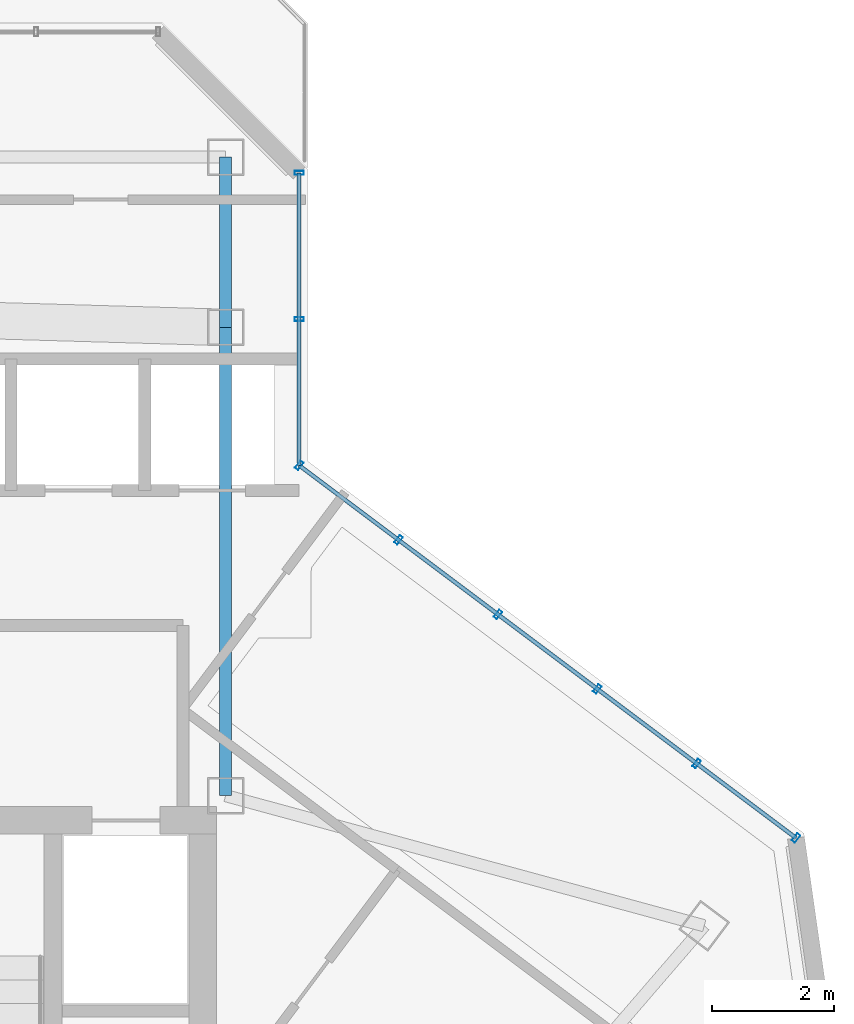
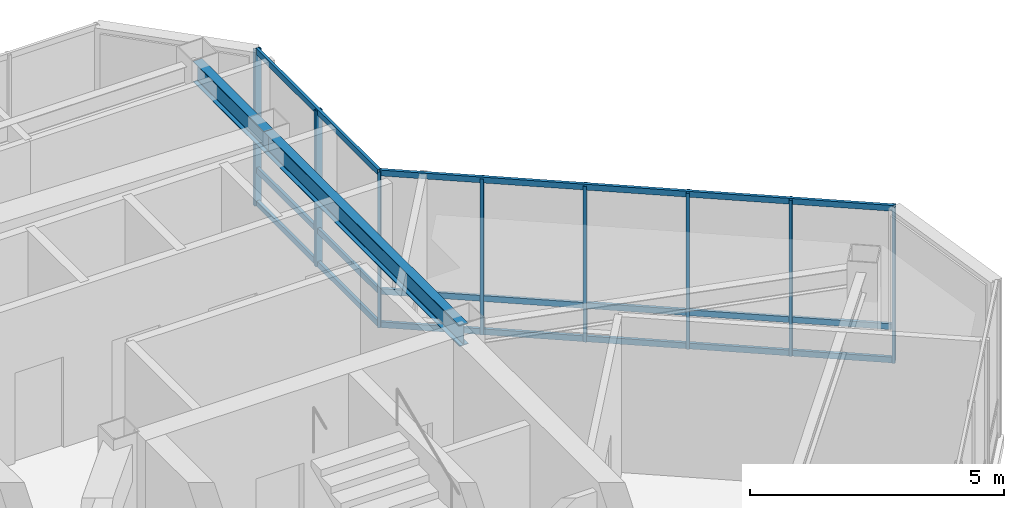
# One storey, part 10 of 21: 14 members, 2 beams, 2 elements without a shape of their own.
"""IFC4 building model written with IfcOpenShell, lengths in metres."""

from ifc_helpers import new_model, si_unit, direction, frame, origin, origin_2d, place, context, subcontext, project, spatial, hollow_rectangle, i_section, extrude, material, layer, layer_set, material_profile, profile_set, type_object, element, aggregate, save


model = new_model("IFC4")

# Units and contexts
model_context = context("Model", 3, precision=1e-05, world=origin(), true_north=direction((0.0, 1.0)))
body_context = subcontext(model_context, "Body", "Model", "MODEL_VIEW")
ifc_project = project(units=[si_unit("LENGTHUNIT", "METRE"), si_unit("AREAUNIT", "SQUARE_METRE"), si_unit("VOLUMEUNIT", "CUBIC_METRE"), si_unit("PLANEANGLEUNIT", "RADIAN"), si_unit("MASSUNIT", "GRAM", prefix="KILO")], contexts=[model_context])

# Site, building, storey
site_placement = place(None, origin())
site = spatial("IfcSite", under=ifc_project, at=site_placement, CompositionType="ELEMENT")
building_placement = place(site_placement, origin())
building = spatial("IfcBuilding", under=site, at=building_placement, Name="Hatsunagi Terrace Concourse", CompositionType="ELEMENT")
storey_placement = place(building_placement, frame((0.0, 0.0, 265.949951171875)))
storey = spatial("IfcBuildingStorey", under=building, at=storey_placement, Name="L70", CompositionType="ELEMENT", Elevation=265.949951171875)

# Beams
ifc_material_1 = material(Name="Steel SN490B", Category="steel")
ifc_material_profile_1 = material_profile(ifc_material_1, i_section(OverallWidth=0.199951171875, OverallDepth=0.5, WebThickness=0.010009765625, FlangeThickness=0.01611328125, FilletRadius=0.01611328125, at=origin_2d()), Name="H-500x200x10x16")
ifc_profile_set_1 = profile_set([ifc_material_profile_1], Name="Steel SN490B")
beam_type = type_object("IfcBeamType", Name="CrownFloorGirder_H_500x200", PredefinedType="BEAM", material=ifc_profile_set_1)
beam_1_placement = place(storey_placement, frame((43.64990234375, 35.300048828125, 3.5), z_axis=(0.0, 1.0, 0.0), x_axis=(-1.0, 0.0, 0.0)))
element("IfcBeam", 1, at=beam_1_placement, inside=storey, type_object=beam_type, Name="Beam G-07 BM-L70-CBK3", PredefinedType="BEAM", context=body_context, shape_type="SweptSolid", body=[
    extrude(i_section(OverallWidth=0.199951171875, OverallDepth=0.5, WebThickness=0.010009765625, FlangeThickness=0.01611328125, FilletRadius=0.01611328125, at=origin_2d()), origin(), (0.0, 0.0, 1.0), 7.699951171875),
])
beam_2_placement = place(storey_placement, frame((43.64990234375, 43.0, 3.5), z_axis=(0.0, 1.0, 0.0), x_axis=(-1.0, 0.0, 0.0)))
element("IfcBeam", 2, at=beam_2_placement, inside=storey, type_object=beam_type, Name="Beam G-07 BM-L70-CN3", PredefinedType="BEAM", context=body_context, shape_type="SweptSolid", body=[
    extrude(i_section(OverallWidth=0.199951171875, OverallDepth=0.5, WebThickness=0.010009765625, FlangeThickness=0.01611328125, FilletRadius=0.01611328125, at=origin_2d()), origin(), (0.0, 0.0, 1.0), 2.800048828125),
])

# Curtain wall, members
ifc_material_2 = material(Name="Anodised Aluminium Alloy 6063-T5", Category="aluminium")
ifc_layer = layer(ifc_material_2, 0.199951171875)
ifc_layer_set = layer_set([ifc_layer], Name="CrownWintergarden_CW06")
curtain_wall_type = type_object("IfcCurtainWallType", Name="CrownWintergarden_CW06", PredefinedType="NOTDEFINED", material=ifc_layer_set)
curtain_wall_1_placement = place(storey_placement, origin())
curtain_wall_1 = element("IfcCurtainWall", 3, at=curtain_wall_1_placement, inside=storey, type_object=curtain_wall_type, Name="Unitised Curtain Wall CW-06 CW-L70-01", PredefinedType="NOTDEFINED")
ifc_material_3 = material(Name="Anodised Aluminium Alloy 6063-T5", Category="aluminium")
ifc_material_profile_2 = material_profile(ifc_material_3, hollow_rectangle(XDim=0.06494140625, YDim=0.14990234375, WallThickness=0.00390625, at=origin_2d()), Name="ALU-MUL-150x65x4")
ifc_profile_set_2 = profile_set([ifc_material_profile_2], Name="Anodised Aluminium Alloy 6063-T5")
member_type_1 = type_object("IfcMemberType", Name="CurtainWallMullion_Crown_150x65", PredefinedType="MULLION", material=ifc_profile_set_2)
member_1_placement = place(storey_placement, frame((44.860107421875, 40.72998046875, 0.0), z_axis=(0.0, 0.0, 1.0), x_axis=(0.800023013105, -0.599969314634, 0.0)))
member_1 = element("IfcMember", 4, at=member_1_placement, type_object=member_type_1, Name="Curtain Wall Mullion MUL-03", PredefinedType="MULLION", context=body_context, shape_type="SweptSolid", body=[
    extrude(hollow_rectangle(XDim=0.06494140625, YDim=0.14990234375, WallThickness=0.00390625, at=origin_2d()), origin(), (0.0, 0.0, 1.0), 3.75),
])
member_2_placement = place(storey_placement, frame((46.493896484375, 39.5048828125, 0.0), z_axis=(0.0, 0.0, 1.0), x_axis=(0.800023013105, -0.599969314634, 0.0)))
member_2 = element("IfcMember", 5, at=member_2_placement, type_object=member_type_1, Name="Curtain Wall Mullion MUL-03", PredefinedType="MULLION", context=body_context, shape_type="SweptSolid", body=[
    extrude(hollow_rectangle(XDim=0.06494140625, YDim=0.14990234375, WallThickness=0.00390625, at=origin_2d()), origin(), (0.0, 0.0, 1.0), 3.75),
])
member_3_placement = place(storey_placement, frame((48.1279296875, 38.279052734375, 0.0), z_axis=(0.0, 0.0, 1.0), x_axis=(0.800023013105, -0.599969314634, 0.0)))
member_3 = element("IfcMember", 6, at=member_3_placement, type_object=member_type_1, Name="Curtain Wall Mullion MUL-03", PredefinedType="MULLION", context=body_context, shape_type="SweptSolid", body=[
    extrude(hollow_rectangle(XDim=0.06494140625, YDim=0.14990234375, WallThickness=0.00390625, at=origin_2d()), origin(), (0.0, 0.0, 1.0), 3.75),
])
member_4_placement = place(storey_placement, frame((49.761962890625, 37.053955078125, 0.0), z_axis=(0.0, 0.0, 1.0), x_axis=(0.800023013105, -0.599969314634, 0.0)))
member_4 = element("IfcMember", 7, at=member_4_placement, type_object=member_type_1, Name="Curtain Wall Mullion MUL-03", PredefinedType="MULLION", context=body_context, shape_type="SweptSolid", body=[
    extrude(hollow_rectangle(XDim=0.06494140625, YDim=0.14990234375, WallThickness=0.00390625, at=origin_2d()), origin(), (0.0, 0.0, 1.0), 3.75),
])
member_5_placement = place(storey_placement, frame((51.39599609375, 35.827880859375, 0.0), z_axis=(0.0, 0.0, 1.0), x_axis=(0.800023013105, -0.599969314634, 0.0)))
member_5 = element("IfcMember", 8, at=member_5_placement, type_object=member_type_1, Name="Curtain Wall Mullion MUL-03", PredefinedType="MULLION", context=body_context, shape_type="SweptSolid", body=[
    extrude(hollow_rectangle(XDim=0.06494140625, YDim=0.14990234375, WallThickness=0.00390625, at=origin_2d()), origin(), (0.0, 0.0, 1.0), 3.75),
])
member_6_placement = place(storey_placement, frame((53.030029296875, 34.60302734375, 0.0), z_axis=(0.0, 0.0, 1.0), x_axis=(0.800023013105, -0.599969314634, 0.0)))
member_6 = element("IfcMember", 9, at=member_6_placement, type_object=member_type_1, Name="Curtain Wall Mullion MUL-03", PredefinedType="MULLION", context=body_context, shape_type="SweptSolid", body=[
    extrude(hollow_rectangle(XDim=0.06494140625, YDim=0.14990234375, WallThickness=0.00390625, at=origin_2d()), origin(), (0.0, 0.0, 1.0), 3.75),
])

curtain_wall_2_placement = place(storey_placement, origin())
curtain_wall_2 = element("IfcCurtainWall", 10, at=curtain_wall_2_placement, inside=storey, type_object=curtain_wall_type, Name="Unitised Curtain Wall CW-06 CW-L70-12", PredefinedType="NOTDEFINED")
member_7_placement = place(storey_placement, frame((44.860107421875, 45.5419921875, 0.0), z_axis=(0.0, 0.0, 1.0), x_axis=(0.0, -1.0, 0.0)))
member_7 = element("IfcMember", 11, at=member_7_placement, type_object=member_type_1, Name="Curtain Wall Mullion MUL-03", PredefinedType="MULLION", context=body_context, shape_type="SweptSolid", body=[
    extrude(hollow_rectangle(XDim=0.06494140625, YDim=0.14990234375, WallThickness=0.00390625, at=origin_2d()), origin(), (0.0, 0.0, 1.0), 3.75),
])
member_8_placement = place(storey_placement, frame((44.860107421875, 43.135986328125, 0.0), z_axis=(0.0, 0.0, 1.0), x_axis=(0.0, -1.0, 0.0)))
member_8 = element("IfcMember", 12, at=member_8_placement, type_object=member_type_1, Name="Curtain Wall Mullion MUL-03", PredefinedType="MULLION", context=body_context, shape_type="SweptSolid", body=[
    extrude(hollow_rectangle(XDim=0.06494140625, YDim=0.14990234375, WallThickness=0.00390625, at=origin_2d()), origin(), (0.0, 0.0, 1.0), 3.75),
])

# Member
ifc_material_4 = material(Name="Anodised Aluminium Alloy 6063-T5", Category="aluminium")
ifc_material_profile_3 = material_profile(ifc_material_4, hollow_rectangle(XDim=0.06494140625, YDim=0.139892578125, WallThickness=0.00390625, at=origin_2d()), Name="ALU-TRN-140x65x4")
ifc_profile_set_3 = profile_set([ifc_material_profile_3], Name="Anodised Aluminium Alloy 6063-T5")
member_type_2 = type_object("IfcMemberType", Name="CurtainWallTransom_140x65", PredefinedType="USERDEFINED", material=ifc_profile_set_3)
member_9_placement = place(storey_placement, frame((44.860107421875, 40.72998046875, 0.050048828125), z_axis=(0.800022950109, -0.599969398635, 0.0), x_axis=(0.599969398635, 0.800022950109, 0.0)))
member_9 = element("IfcMember", 13, at=member_9_placement, type_object=member_type_2, Name="Curtain Wall Transom TRN-02", ObjectType="TRANSOM", PredefinedType="USERDEFINED", context=body_context, shape_type="SweptSolid", body=[
    extrude(hollow_rectangle(XDim=0.06494140625, YDim=0.139892578125, WallThickness=0.00390625, at=origin_2d()), origin(), (0.0, 0.0, 1.0), 10.212158203125),
])

member_10_placement = place(storey_placement, frame((44.860107421875, 40.72998046875, 0.85009765625), z_axis=(0.800022950109, -0.599969398635, 0.0), x_axis=(0.599969398635, 0.800022950109, 0.0)))
member_10 = element("IfcMember", 14, at=member_10_placement, type_object=member_type_2, Name="Curtain Wall Transom TRN-02", ObjectType="TRANSOM", PredefinedType="USERDEFINED", context=body_context, shape_type="SweptSolid", body=[
    extrude(hollow_rectangle(XDim=0.06494140625, YDim=0.139892578125, WallThickness=0.00390625, at=origin_2d()), origin(), (0.0, 0.0, 1.0), 10.212158203125),
])

member_11_placement = place(storey_placement, frame((44.860107421875, 40.72998046875, 3.699951171875), z_axis=(0.800022950109, -0.599969398635, 0.0), x_axis=(0.599969398635, 0.800022950109, 0.0)))
member_11 = element("IfcMember", 15, at=member_11_placement, type_object=member_type_2, Name="Curtain Wall Transom TRN-02", ObjectType="TRANSOM", PredefinedType="USERDEFINED", context=body_context, shape_type="SweptSolid", body=[
    extrude(hollow_rectangle(XDim=0.06494140625, YDim=0.139892578125, WallThickness=0.00390625, at=origin_2d()), origin(), (0.0, 0.0, 1.0), 10.212158203125),
])

aggregate(curtain_wall_1, [member_1, member_2, member_3, member_4, member_5, member_6, member_9, member_10, member_11])

member_12_placement = place(storey_placement, frame((44.860107421875, 45.5419921875, 0.050048828125), z_axis=(0.0, -1.0, 0.0), x_axis=(1.0, 0.0, 0.0)))
member_12 = element("IfcMember", 16, at=member_12_placement, type_object=member_type_2, Name="Curtain Wall Transom TRN-02", ObjectType="TRANSOM", PredefinedType="USERDEFINED", context=body_context, shape_type="SweptSolid", body=[
    extrude(hollow_rectangle(XDim=0.06494140625, YDim=0.139892578125, WallThickness=0.00390625, at=origin_2d()), origin(), (0.0, 0.0, 1.0), 4.81201171875),
])

member_13_placement = place(storey_placement, frame((44.860107421875, 45.5419921875, 0.85009765625), z_axis=(0.0, -1.0, 0.0), x_axis=(1.0, 0.0, 0.0)))
member_13 = element("IfcMember", 17, at=member_13_placement, type_object=member_type_2, Name="Curtain Wall Transom TRN-02", ObjectType="TRANSOM", PredefinedType="USERDEFINED", context=body_context, shape_type="SweptSolid", body=[
    extrude(hollow_rectangle(XDim=0.06494140625, YDim=0.139892578125, WallThickness=0.00390625, at=origin_2d()), origin(), (0.0, 0.0, 1.0), 4.81201171875),
])

member_14_placement = place(storey_placement, frame((44.860107421875, 45.5419921875, 3.699951171875), z_axis=(0.0, -1.0, 0.0), x_axis=(1.0, 0.0, 0.0)))
member_14 = element("IfcMember", 18, at=member_14_placement, type_object=member_type_2, Name="Curtain Wall Transom TRN-02", ObjectType="TRANSOM", PredefinedType="USERDEFINED", context=body_context, shape_type="SweptSolid", body=[
    extrude(hollow_rectangle(XDim=0.06494140625, YDim=0.139892578125, WallThickness=0.00390625, at=origin_2d()), origin(), (0.0, 0.0, 1.0), 4.81201171875),
])

aggregate(curtain_wall_2, [member_7, member_8, member_12, member_13, member_14])

save(model, "model.ifc")
